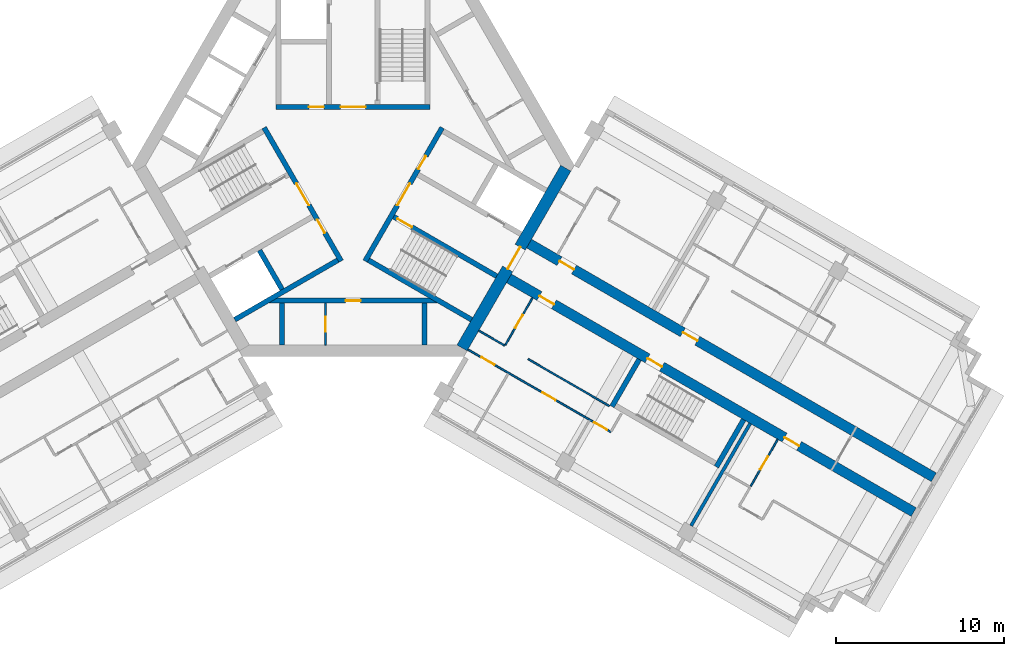
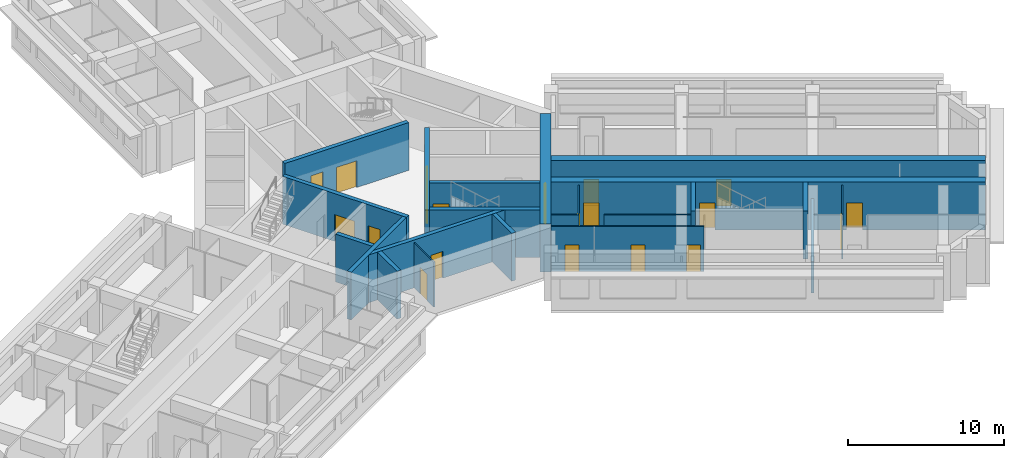
# One storey, part 5 of 10: 22 walls, 20 doors, 20 openings.
"""IFC4 building model written with IfcOpenShell, lengths in metres."""

from ifc_helpers import new_model, si_unit, direction, frame, frame_2d, origin, place, context, subcontext, project, spatial, rectangle, extrude, material, layer, layer_set, type_object, element, fill, save


model = new_model("IFC4")

# Units and contexts
model_context = context("Model", 3, precision=1e-05, world=origin(), true_north=direction((0.0, 1.0)))
body_context = subcontext(model_context, "Body", "Model", "MODEL_VIEW")
ifc_project = project(units=[si_unit("LENGTHUNIT", "METRE"), si_unit("AREAUNIT", "SQUARE_METRE"), si_unit("VOLUMEUNIT", "CUBIC_METRE"), si_unit("PLANEANGLEUNIT", "RADIAN"), si_unit("MASSUNIT", "GRAM", prefix="KILO")], contexts=[model_context])

# Site, building, storey
site_placement = place(None, origin())
site = spatial("IfcSite", under=ifc_project, at=site_placement, CompositionType="ELEMENT")
building_placement = place(site_placement, origin())
building = spatial("IfcBuilding", under=site, at=building_placement, Name="Impinga Residences", CompositionType="ELEMENT")
storey_placement = place(building_placement, frame((0.0, 0.0, 192.25)))
storey = spatial("IfcBuildingStorey", under=building, at=storey_placement, Name="L47", CompositionType="ELEMENT", Elevation=192.25)

# Wall, openings, doors
ifc_material_1 = material(Name="Concrete C60/75", Category="concrete")
ifc_layer_1 = layer(ifc_material_1, 0.60009765625)
ifc_layer_set_1 = layer_set([ifc_layer_1], Name="Concrete C60/75")
wall_type_1 = type_object("IfcWallType", Name="BW3 corridor buttress wall, L46 to L73 600", PredefinedType="SHEAR", material=ifc_layer_set_1)
wall_1_placement = place(storey_placement, frame((10.19677734375, -4.50146484375, 0.0), z_axis=(0.0, 0.0, 1.0), x_axis=(0.866026415941, -0.499998246889, 0.0)))
wall_1 = element("IfcWall", 1, at=wall_1_placement, inside=storey, type_object=wall_type_1, Name="Corridor wall BW3 EC L47", PredefinedType="SHEAR", context=body_context, shape_type="SweptSolid", body=[
    extrude(rectangle(XDim=28.25, YDim=0.60009765625, at=frame_2d((14.125, 0.0))), origin(), (0.0, 0.0, 1.0), 3.75),
])
opening_1_placement = place(wall_1_placement, frame((2.449951171875, 0.0, 0.0)))
opening_1 = element("IfcOpeningElement", 2, at=opening_1_placement, cuts=wall_1, Name="Opening D1", PredefinedType="OPENING", context=body_context, shape_type="SweptSolid", body=[
    extrude(rectangle(XDim=1.0, YDim=2.10009765625, at=frame_2d((0.5, 1.050048828125))), frame((0.0, 0.31005859375, 0.0), z_axis=(0.0, -1.0, 0.0), x_axis=(1.0, 0.0, 0.0)), (0.0, 0.0, 1.0), 0.6201171875),
])
opening_2_placement = place(wall_1_placement, frame((10.949951171875, 0.0, 0.0)))
opening_2 = element("IfcOpeningElement", 3, at=opening_2_placement, cuts=wall_1, Name="Opening D1", PredefinedType="OPENING", context=body_context, shape_type="SweptSolid", body=[
    extrude(rectangle(XDim=1.0, YDim=2.10009765625, at=frame_2d((0.5, 1.050048828125))), frame((0.0, 0.31005859375, 0.0), z_axis=(0.0, -1.0, 0.0), x_axis=(1.0, 0.0, 0.0)), (0.0, 0.0, 1.0), 0.6201171875),
])
ifc_material_2 = material(Name="Timber door set", Category="wood")
door_type_1 = type_object("IfcDoorType", Name="D1 apartment entrance door 1000x2100", OperationType="SINGLE_SWING_LEFT", PredefinedType="DOOR", material=ifc_material_2)
door_1_placement = place(opening_1_placement, origin())
door_1 = element("IfcDoor", 4, at=door_1_placement, inside=storey, type_object=door_type_1, Name="Apartment L47-EA1 entrance", OperationType="SINGLE_SWING_LEFT", OverallHeight=2.10009765625, OverallWidth=1.0, PredefinedType="DOOR", context=body_context, shape_type="SweptSolid", body=[
    extrude(rectangle(XDim=1.0, YDim=2.10009765625, at=frame_2d((0.5, 1.050048828125))), frame((0.0, 0.02490234375, 0.0), z_axis=(0.0, -1.0, 0.0), x_axis=(1.0, 0.0, 0.0)), (0.0, 0.0, 1.0), 0.050048828125),
])
fill(opening_1, door_1)
door_2_placement = place(opening_2_placement, origin())
door_2 = element("IfcDoor", 5, at=door_2_placement, inside=storey, type_object=door_type_1, Name="Apartment L47-EA2 entrance", OperationType="SINGLE_SWING_LEFT", OverallHeight=2.10009765625, OverallWidth=1.0, PredefinedType="DOOR", context=body_context, shape_type="SweptSolid", body=[
    extrude(rectangle(XDim=1.0, YDim=2.10009765625, at=frame_2d((0.5, 1.050048828125))), frame((0.0, 0.02490234375, 0.0), z_axis=(0.0, -1.0, 0.0), x_axis=(1.0, 0.0, 0.0)), (0.0, 0.0, 1.0), 0.050048828125),
])
fill(opening_2, door_2)

wall_2_placement = place(storey_placement, frame((8.996826171875, -6.580078125, 0.0), z_axis=(0.0, 0.0, 1.0), x_axis=(0.866026415941, -0.499998246889, 0.0)))
wall_2 = element("IfcWall", 6, at=wall_2_placement, inside=storey, type_object=wall_type_1, Name="Corridor wall BW3 ED L47", PredefinedType="SHEAR", context=body_context, shape_type="SweptSolid", body=[
    extrude(rectangle(XDim=28.25, YDim=0.60009765625, at=frame_2d((14.125, 0.0))), origin(), (0.0, 0.0, 1.0), 3.75),
])
opening_3_placement = place(wall_2_placement, frame((9.89990234375, 0.0, 0.0)))
opening_3 = element("IfcOpeningElement", 7, at=opening_3_placement, cuts=wall_2, Name="Opening D5", PredefinedType="OPENING", context=body_context, shape_type="SweptSolid", body=[
    extrude(rectangle(XDim=1.0, YDim=2.10009765625, at=frame_2d((0.5, 1.050048828125))), frame((0.0, 0.31005859375, 0.0), z_axis=(0.0, -1.0, 0.0), x_axis=(1.0, 0.0, 0.0)), (0.0, 0.0, 1.0), 0.6201171875),
])
opening_4_placement = place(wall_2_placement, frame((2.449951171875, 0.0, 0.0)))
opening_4 = element("IfcOpeningElement", 8, at=opening_4_placement, cuts=wall_2, Name="Opening D1", PredefinedType="OPENING", context=body_context, shape_type="SweptSolid", body=[
    extrude(rectangle(XDim=1.0, YDim=2.10009765625, at=frame_2d((0.5, 1.050048828125))), frame((0.0, 0.31005859375, 0.0), z_axis=(0.0, -1.0, 0.0), x_axis=(1.0, 0.0, 0.0)), (0.0, 0.0, 1.0), 0.6201171875),
])
opening_5_placement = place(wall_2_placement, frame((19.35009765625, 0.0, 0.0)))
opening_5 = element("IfcOpeningElement", 9, at=opening_5_placement, cuts=wall_2, Name="Opening D1", PredefinedType="OPENING", context=body_context, shape_type="SweptSolid", body=[
    extrude(rectangle(XDim=1.0, YDim=2.10009765625, at=frame_2d((0.5, 1.050048828125))), frame((0.0, 0.31005859375, 0.0), z_axis=(0.0, -1.0, 0.0), x_axis=(1.0, 0.0, 0.0)), (0.0, 0.0, 1.0), 0.6201171875),
])
door_3_placement = place(opening_4_placement, origin())
door_3 = element("IfcDoor", 10, at=door_3_placement, inside=storey, type_object=door_type_1, Name="Apartment L47-EF1 entrance", OperationType="SINGLE_SWING_LEFT", OverallHeight=2.10009765625, OverallWidth=1.0, PredefinedType="DOOR", context=body_context, shape_type="SweptSolid", body=[
    extrude(rectangle(XDim=1.0, YDim=2.10009765625, at=frame_2d((0.5, 1.050048828125))), frame((0.0, 0.02490234375, 0.0), z_axis=(0.0, -1.0, 0.0), x_axis=(1.0, 0.0, 0.0)), (0.0, 0.0, 1.0), 0.050048828125),
])
fill(opening_4, door_3)
door_4_placement = place(opening_5_placement, origin())
door_4 = element("IfcDoor", 11, at=door_4_placement, inside=storey, type_object=door_type_1, Name="Apartment L47-EF2 entrance", OperationType="SINGLE_SWING_RIGHT", OverallHeight=2.10009765625, OverallWidth=1.0, PredefinedType="DOOR", context=body_context, shape_type="SweptSolid", body=[
    extrude(rectangle(XDim=1.0, YDim=2.10009765625, at=frame_2d((0.5, 1.050048828125))), frame((0.0, 0.02490234375, 0.0), z_axis=(0.0, -1.0, 0.0), x_axis=(1.0, 0.0, 0.0)), (0.0, 0.0, 1.0), 0.050048828125),
])
fill(opening_5, door_4)
door_type_2 = type_object("IfcDoorType", Name="D5 stair door 1000x2100", OperationType="SINGLE_SWING_LEFT", PredefinedType="DOOR", material=ifc_material_2)
door_5_placement = place(opening_3_placement, origin())
door_5 = element("IfcDoor", 12, at=door_5_placement, inside=storey, type_object=door_type_2, Name="Wing stair door E", OperationType="SINGLE_SWING_LEFT", OverallHeight=2.10009765625, OverallWidth=1.0, PredefinedType="DOOR", context=body_context, shape_type="SweptSolid", body=[
    extrude(rectangle(XDim=1.0, YDim=2.10009765625, at=frame_2d((0.5, 1.050048828125))), frame((0.0, 0.02490234375, 0.0), z_axis=(0.0, -1.0, 0.0), x_axis=(1.0, 0.0, 0.0)), (0.0, 0.0, 1.0), 0.050048828125),
])
fill(opening_3, door_5)

# Wall, opening, door
ifc_material_3 = material(Name="Concrete blockwork", Category="masonry")
ifc_layer_2 = layer(ifc_material_3, 0.10009765625)
ifc_layer_set_2 = layer_set([ifc_layer_2], Name="CP1 core room partition, blockwork 100")
wall_type_2 = type_object("IfcWallType", Name="CP1 core room partition, blockwork 100", PredefinedType="PARTITIONING", material=ifc_layer_set_2)
wall_3_placement = place(storey_placement, frame((-1.64990234375, -8.2314453125, 0.0), z_axis=(0.0, 0.0, 1.0), x_axis=(0.0, -1.0, 0.0)))
wall_3 = element("IfcWall", 13, at=wall_3_placement, inside=storey, type_object=wall_type_2, Name="Core room partition, blockwork L47:CORE:low:ZP1", PredefinedType="PARTITIONING", context=body_context, shape_type="SweptSolid", body=[
    extrude(rectangle(XDim=2.5, YDim=0.10009765625, at=frame_2d((1.25, 0.0))), origin(), (0.0, 0.0, 1.0), 3.530029296875),
])
opening_6_placement = place(wall_3_placement, frame((0.800048828125, 0.0, 0.0)))
opening_6 = element("IfcOpeningElement", 14, at=opening_6_placement, cuts=wall_3, Name="Opening D6", PredefinedType="OPENING", context=body_context, shape_type="SweptSolid", body=[
    extrude(rectangle(XDim=0.89990234375, YDim=2.10009765625, at=frame_2d((0.449951171875, 1.050048828125))), frame((0.0, 0.06005859375, 0.0), z_axis=(0.0, -1.0, 0.0), x_axis=(1.0, 0.0, 0.0)), (0.0, 0.0, 1.0), 0.1201171875),
])
door_type_3 = type_object("IfcDoorType", Name="D6 riser and store door 900x2100", OperationType="SINGLE_SWING_LEFT", PredefinedType="DOOR", material=ifc_material_2)
door_6_placement = place(opening_6_placement, origin())
door_6 = element("IfcDoor", 15, at=door_6_placement, inside=storey, type_object=door_type_3, Name="Linen store door", OperationType="SINGLE_SWING_LEFT", OverallHeight=2.10009765625, OverallWidth=0.89990234375, PredefinedType="DOOR", context=body_context, shape_type="SweptSolid", body=[
    extrude(rectangle(XDim=0.89990234375, YDim=2.10009765625, at=frame_2d((0.449951171875, 1.050048828125))), frame((0.0, 0.02490234375, 0.0), z_axis=(0.0, -1.0, 0.0), x_axis=(1.0, 0.0, 0.0)), (0.0, 0.0, 1.0), 0.050048828125),
])
fill(opening_6, door_6)

# Walls
ifc_material_4 = material(Name="Gypsum board on steel studs", Category="steel")
ifc_layer_3 = layer(ifc_material_4, 0.10009765625)
ifc_layer_set_3 = layer_set([ifc_layer_3], Name="Gypsum board on steel studs")
wall_type_3 = type_object("IfcWallType", Name="IP1 partition 100", PredefinedType="PARTITIONING", material=ifc_layer_set_3)
wall_4_placement = place(storey_placement, frame((7.5, -9.872802734375, 0.0), z_axis=(0.0, 0.0, 1.0), x_axis=(0.866047807691, -0.499961193289, 0.0)))
element("IfcWall", 16, at=wall_4_placement, inside=storey, type_object=wall_type_3, Name="Partition L47-EF1:DIV0", PredefinedType="PARTITIONING", context=body_context, shape_type="SweptSolid", body=[
    extrude(rectangle(XDim=1.800048828125, YDim=0.10009765625, at=frame_2d((0.89990234375, 0.0))), origin(), (0.0, 0.0, 1.0), 3.530029296875),
])
wall_5_placement = place(storey_placement, frame((10.444580078125, -11.57275390625, 0.0), z_axis=(0.0, 0.0, 1.0), x_axis=(0.866015695474, -0.500016814911, 0.0)))
element("IfcWall", 17, at=wall_5_placement, inside=storey, type_object=wall_type_3, Name="Partition L47-EF1:DIV1", PredefinedType="PARTITIONING", context=body_context, shape_type="SweptSolid", body=[
    extrude(rectangle(XDim=5.599853515625, YDim=0.10009765625, at=frame_2d((2.7998046875, 0.0))), origin(), (0.0, 0.0, 1.0), 3.530029296875),
])

# Wall, openings, doors
wall_6_placement = place(storey_placement, frame((6.85009765625, -10.99853515625, 0.0), z_axis=(0.0, 0.0, 1.0), x_axis=(0.866021308241, -0.500007093622, 0.0)))
wall_6 = element("IfcWall", 18, at=wall_6_placement, inside=storey, type_object=wall_type_3, Name="Partition L47-EF1:STRIP", PredefinedType="PARTITIONING", context=body_context, shape_type="SweptSolid", body=[
    extrude(rectangle(XDim=9.849853515625, YDim=0.10009765625, at=frame_2d((4.9248046875, 0.0))), origin(), (0.0, 0.0, 1.0), 3.530029296875),
])
opening_7_placement = place(wall_6_placement, frame((0.925048828125, 0.0, 0.0)))
opening_7 = element("IfcOpeningElement", 19, at=opening_7_placement, cuts=wall_6, Name="Opening D2", PredefinedType="OPENING", context=body_context, shape_type="SweptSolid", body=[
    extrude(rectangle(XDim=0.89990234375, YDim=2.10009765625, at=frame_2d((0.449951171875, 1.050048828125))), frame((0.0, 0.06005859375, 0.0), z_axis=(0.0, -1.0, 0.0), x_axis=(1.0, 0.0, 0.0)), (0.0, 0.0, 1.0), 0.1201171875),
])
opening_8_placement = place(wall_6_placement, frame((5.14990234375, 0.0, 0.0)))
opening_8 = element("IfcOpeningElement", 20, at=opening_8_placement, cuts=wall_6, Name="Opening D2", PredefinedType="OPENING", context=body_context, shape_type="SweptSolid", body=[
    extrude(rectangle(XDim=0.89990234375, YDim=2.10009765625, at=frame_2d((0.449951171875, 1.050048828125))), frame((0.0, 0.06005859375, 0.0), z_axis=(0.0, -1.0, 0.0), x_axis=(1.0, 0.0, 0.0)), (0.0, 0.0, 1.0), 0.1201171875),
])
opening_9_placement = place(wall_6_placement, frame((8.699951171875, 0.0, 0.0)))
opening_9 = element("IfcOpeningElement", 21, at=opening_9_placement, cuts=wall_6, Name="Opening D2", PredefinedType="OPENING", context=body_context, shape_type="SweptSolid", body=[
    extrude(rectangle(XDim=0.89990234375, YDim=2.10009765625, at=frame_2d((0.449951171875, 1.050048828125))), frame((0.0, 0.06005859375, 0.0), z_axis=(0.0, -1.0, 0.0), x_axis=(1.0, 0.0, 0.0)), (0.0, 0.0, 1.0), 0.1201171875),
])
door_type_4 = type_object("IfcDoorType", Name="D2 internal door 900x2100", OperationType="SINGLE_SWING_LEFT", PredefinedType="DOOR", material=ifc_material_2)
door_7_placement = place(opening_7_placement, origin())
door_7 = element("IfcDoor", 22, at=door_7_placement, inside=storey, type_object=door_type_4, Name="Apartment L47-EF1 room door", OperationType="SINGLE_SWING_LEFT", OverallHeight=2.10009765625, OverallWidth=0.89990234375, PredefinedType="DOOR", context=body_context, shape_type="SweptSolid", body=[
    extrude(rectangle(XDim=0.89990234375, YDim=2.10009765625, at=frame_2d((0.449951171875, 1.050048828125))), frame((0.0, 0.02490234375, 0.0), z_axis=(0.0, -1.0, 0.0), x_axis=(1.0, 0.0, 0.0)), (0.0, 0.0, 1.0), 0.050048828125),
])
fill(opening_7, door_7)
door_8_placement = place(opening_8_placement, origin())
door_8 = element("IfcDoor", 23, at=door_8_placement, inside=storey, type_object=door_type_4, Name="Apartment L47-EF1 room door", OperationType="SINGLE_SWING_RIGHT", OverallHeight=2.10009765625, OverallWidth=0.89990234375, PredefinedType="DOOR", context=body_context, shape_type="SweptSolid", body=[
    extrude(rectangle(XDim=0.89990234375, YDim=2.10009765625, at=frame_2d((0.449951171875, 1.050048828125))), frame((0.0, 0.02490234375, 0.0), z_axis=(0.0, -1.0, 0.0), x_axis=(1.0, 0.0, 0.0)), (0.0, 0.0, 1.0), 0.050048828125),
])
fill(opening_8, door_8)
door_9_placement = place(opening_9_placement, origin())
door_9 = element("IfcDoor", 24, at=door_9_placement, inside=storey, type_object=door_type_4, Name="Apartment L47-EF1 room door", OperationType="SINGLE_SWING_RIGHT", OverallHeight=2.10009765625, OverallWidth=0.89990234375, PredefinedType="DOOR", context=body_context, shape_type="SweptSolid", body=[
    extrude(rectangle(XDim=0.89990234375, YDim=2.10009765625, at=frame_2d((0.449951171875, 1.050048828125))), frame((0.0, 0.02490234375, 0.0), z_axis=(0.0, -1.0, 0.0), x_axis=(1.0, 0.0, 0.0)), (0.0, 0.0, 1.0), 0.050048828125),
])
fill(opening_9, door_9)

# Wall, opening, door
wall_7_placement = place(storey_placement, frame((10.708740234375, -7.914794921875, 0.0), z_axis=(0.0, 0.0, 1.0), x_axis=(-0.499984717929, -0.866034226713, 0.0)))
wall_7 = element("IfcWall", 25, at=wall_7_placement, inside=storey, type_object=wall_type_3, Name="Partition L47-EF1:IB1", PredefinedType="PARTITIONING", context=body_context, shape_type="SweptSolid", body=[
    extrude(rectangle(XDim=3.25, YDim=0.10009765625, at=frame_2d((1.625, 0.0))), origin(), (0.0, 0.0, 1.0), 3.530029296875),
])
opening_10_placement = place(wall_7_placement, frame((1.175048828125, 0.0, 0.0)))
opening_10 = element("IfcOpeningElement", 26, at=opening_10_placement, cuts=wall_7, Name="Opening D2", PredefinedType="OPENING", context=body_context, shape_type="SweptSolid", body=[
    extrude(rectangle(XDim=0.89990234375, YDim=2.10009765625, at=frame_2d((0.449951171875, 1.050048828125))), frame((0.0, 0.06005859375, 0.0), z_axis=(0.0, -1.0, 0.0), x_axis=(1.0, 0.0, 0.0)), (0.0, 0.0, 1.0), 0.1201171875),
])
door_10_placement = place(opening_10_placement, origin())
door_10 = element("IfcDoor", 27, at=door_10_placement, inside=storey, type_object=door_type_4, Name="Apartment L47-EF1 bathroom door", OperationType="SINGLE_SWING_LEFT", OverallHeight=2.10009765625, OverallWidth=0.89990234375, PredefinedType="DOOR", context=body_context, shape_type="SweptSolid", body=[
    extrude(rectangle(XDim=0.89990234375, YDim=2.10009765625, at=frame_2d((0.449951171875, 1.050048828125))), frame((0.0, 0.02490234375, 0.0), z_axis=(0.0, -1.0, 0.0), x_axis=(1.0, 0.0, 0.0)), (0.0, 0.0, 1.0), 0.050048828125),
])
fill(opening_10, door_10)

wall_8_placement = place(storey_placement, frame((25.3447265625, -16.36474609375, 0.0), z_axis=(0.0, 0.0, 1.0), x_axis=(-0.499984717929, -0.866034226713, 0.0)))
wall_8 = element("IfcWall", 28, at=wall_8_placement, inside=storey, type_object=wall_type_3, Name="Partition L47-EF2:IB1", PredefinedType="PARTITIONING", context=body_context, shape_type="SweptSolid", body=[
    extrude(rectangle(XDim=3.25, YDim=0.10009765625, at=frame_2d((1.625, 0.0))), origin(), (0.0, 0.0, 1.0), 3.530029296875),
])
opening_11_placement = place(wall_8_placement, frame((1.175048828125, 0.0, 0.0)))
opening_11 = element("IfcOpeningElement", 29, at=opening_11_placement, cuts=wall_8, Name="Opening D2", PredefinedType="OPENING", context=body_context, shape_type="SweptSolid", body=[
    extrude(rectangle(XDim=0.89990234375, YDim=2.10009765625, at=frame_2d((0.449951171875, 1.050048828125))), frame((0.0, 0.06005859375, 0.0), z_axis=(0.0, -1.0, 0.0), x_axis=(1.0, 0.0, 0.0)), (0.0, 0.0, 1.0), 0.1201171875),
])
door_11_placement = place(opening_11_placement, origin())
door_11 = element("IfcDoor", 30, at=door_11_placement, inside=storey, type_object=door_type_4, Name="Apartment L47-EF2 bathroom door", OperationType="SINGLE_SWING_LEFT", OverallHeight=2.10009765625, OverallWidth=0.89990234375, PredefinedType="DOOR", context=body_context, shape_type="SweptSolid", body=[
    extrude(rectangle(XDim=0.89990234375, YDim=2.10009765625, at=frame_2d((0.449951171875, 1.050048828125))), frame((0.0, 0.02490234375, 0.0), z_axis=(0.0, -1.0, 0.0), x_axis=(1.0, 0.0, 0.0)), (0.0, 0.0, 1.0), 0.050048828125),
])
fill(opening_11, door_11)

# Walls
ifc_layer_4 = layer(ifc_material_3, 0.199951171875)
ifc_layer_set_4 = layer_set([ifc_layer_4], Name="PW1 party wall between apartments 200")
wall_type_4 = type_object("IfcWallType", Name="PW1 party wall between apartments 200", PredefinedType="SOLIDWALL", material=ifc_layer_set_4)
wall_9_placement = place(storey_placement, frame((23.69921875, -15.414794921875, 0.0), z_axis=(0.0, 0.0, 1.0), x_axis=(-0.499990246421, -0.866031034943, 0.0)))
element("IfcWall", 31, at=wall_9_placement, inside=storey, type_object=wall_type_4, Name="Party wall between apartments L47-EF1:PARTY", PredefinedType="SOLIDWALL", context=body_context, shape_type="SweptSolid", body=[
    extrude(rectangle(XDim=7.050048828125, YDim=0.199951171875, at=frame_2d((3.52490234375, 0.0))), origin(), (0.0, 0.0, 1.0), 2.47998046875),
])
ifc_layer_5 = layer(ifc_material_1, 0.300048828125)
ifc_layer_set_5 = layer_set([ifc_layer_5], Name="Concrete C60/75")
wall_type_5 = type_object("IfcWallType", Name="SE1 wing stair enclosure wall 300", PredefinedType="SOLIDWALL", material=ifc_layer_set_5)
for number, where, z_axis, x_axis, name in (
    (32, (17.07421875, -11.58984375, 0.0), (0.0, 0.0, 1.0), (-0.500017246033, -0.866015446554, 0.0), "Stair enclosure wall SE1 E END0 L47"),
    (33, (23.3095703125, -15.189697265625, 0.0), (0.0, 0.0, 1.0), (-0.499984717929, -0.866034226713, 0.0), "Stair enclosure wall SE1 E END1 L47"),
):
    element("IfcWall", number, at=place(storey_placement, frame(where, z_axis=z_axis, x_axis=x_axis)), inside=storey, type_object=wall_type_5, Name=name, PredefinedType="SOLIDWALL", context=body_context, shape_type="SweptSolid", body=[
        extrude(rectangle(XDim=3.25, YDim=0.300048828125, at=frame_2d((1.625, 0.0))), origin(), (0.0, 0.0, 1.0), 3.75),
    ])

# Wall, opening, door
ifc_layer_6 = layer(ifc_material_1, 0.699951171875)
ifc_layer_set_6 = layer_set([ifc_layer_6], Name="Concrete C60/75")
wall_type_6 = type_object("IfcWallType", Name="SW3 core wall 700", PredefinedType="SHEAR", material=ifc_layer_set_6)
wall_10_placement = place(storey_placement, frame((12.69482421875, -0.175048828125, 0.0), z_axis=(0.0, 0.0, 1.0), x_axis=(-0.499999875397, -0.866025475724, 0.0)))
wall_10 = element("IfcWall", 34, at=wall_10_placement, inside=storey, type_object=wall_type_6, Name="Core wall SW3 E:FACE L47", PredefinedType="SHEAR", context=body_context, shape_type="SweptSolid", body=[
    extrude(rectangle(XDim=12.3916015625, YDim=0.699951171875, at=frame_2d((6.19580078125, 0.0))), origin(), (0.0, 0.0, 1.0), 3.75),
])
opening_12_placement = place(wall_10_placement, frame((5.44580078125, 0.0, 0.0)))
opening_12 = element("IfcOpeningElement", 35, at=opening_12_placement, cuts=wall_10, Name="Opening D4", PredefinedType="OPENING", context=body_context, shape_type="SweptSolid", body=[
    extrude(rectangle(XDim=1.5, YDim=2.10009765625, at=frame_2d((0.75, 1.050048828125))), frame((0.0, 0.35986328125, 0.0), z_axis=(0.0, -1.0, 0.0), x_axis=(1.0, 0.0, 0.0)), (0.0, 0.0, 1.0), 0.719970703125),
])
door_type_5 = type_object("IfcDoorType", Name="D4 lobby door pair 1500x2100", OperationType="DOUBLE_DOOR_DOUBLE_SWING", PredefinedType="DOOR", material=ifc_material_2)
door_12_placement = place(opening_12_placement, origin())
door_12 = element("IfcDoor", 36, at=door_12_placement, inside=storey, type_object=door_type_5, Name="Lobby door E", OperationType="DOUBLE_DOOR_DOUBLE_SWING", OverallHeight=2.10009765625, OverallWidth=1.5, PredefinedType="DOOR", context=body_context, shape_type="SweptSolid", body=[
    extrude(rectangle(XDim=1.5, YDim=2.10009765625, at=frame_2d((0.75, 1.050048828125))), frame((0.0, 0.02490234375, 0.0), z_axis=(0.0, -1.0, 0.0), x_axis=(1.0, 0.0, 0.0)), (0.0, 0.0, 1.0), 0.050048828125),
])
fill(opening_12, door_12)

# Wall, openings, doors
ifc_material_5 = material(Name="Concrete C70/85", Category="concrete")
ifc_layer_7 = layer(ifc_material_5, 0.300048828125)
ifc_layer_set_7 = layer_set([ifc_layer_7], Name="Concrete C70/85")
wall_type_7 = type_object("IfcWallType", Name="SW5 core inner wall, stairs, shafts and lobbies 300", PredefinedType="SHEAR", material=ifc_layer_set_7)
wall_11_placement = place(storey_placement, frame((-4.60009765625, 3.47998046875, 0.0), z_axis=(0.0, 0.0, 1.0), x_axis=(1.0, 0.0, 0.0)))
wall_11 = element("IfcWall", 37, at=wall_11_placement, inside=storey, type_object=wall_type_7, Name="Core wall SW5 N:ZONE L47", PredefinedType="SHEAR", context=body_context, shape_type="SweptSolid", body=[
    extrude(rectangle(XDim=9.2001953125, YDim=0.300048828125, at=frame_2d((4.60009765625, 0.0))), origin(), (0.0, 0.0, 1.0), 3.75),
])
opening_13_placement = place(wall_11_placement, frame((3.85009765625, 0.0, 0.0)))
opening_13 = element("IfcOpeningElement", 38, at=opening_13_placement, cuts=wall_11, Name="Opening D4", PredefinedType="OPENING", context=body_context, shape_type="SweptSolid", body=[
    extrude(rectangle(XDim=1.5, YDim=2.10009765625, at=frame_2d((0.75, 1.050048828125))), frame((0.0, 0.159912109375, 0.0), z_axis=(0.0, -1.0, 0.0), x_axis=(1.0, 0.0, 0.0)), (0.0, 0.0, 1.0), 0.320068359375),
])
opening_14_placement = place(wall_11_placement, frame((1.949951171875, 0.0, 0.0)))
opening_14 = element("IfcOpeningElement", 39, at=opening_14_placement, cuts=wall_11, Name="Opening D6", PredefinedType="OPENING", context=body_context, shape_type="SweptSolid", body=[
    extrude(rectangle(XDim=0.89990234375, YDim=2.10009765625, at=frame_2d((0.449951171875, 1.050048828125))), frame((0.0, 0.159912109375, 0.0), z_axis=(0.0, -1.0, 0.0), x_axis=(1.0, 0.0, 0.0)), (0.0, 0.0, 1.0), 0.320068359375),
])
door_13_placement = place(opening_13_placement, origin())
door_13 = element("IfcDoor", 40, at=door_13_placement, inside=storey, type_object=door_type_5, Name="Firefighting lobby door N", OperationType="DOUBLE_DOOR_DOUBLE_SWING", OverallHeight=2.10009765625, OverallWidth=1.5, PredefinedType="DOOR", context=body_context, shape_type="SweptSolid", body=[
    extrude(rectangle(XDim=1.5, YDim=2.10009765625, at=frame_2d((0.75, 1.050048828125))), frame((0.0, 0.02490234375, 0.0), z_axis=(0.0, -1.0, 0.0), x_axis=(1.0, 0.0, 0.0)), (0.0, 0.0, 1.0), 0.050048828125),
])
fill(opening_13, door_13)
door_14_placement = place(opening_14_placement, origin())
door_14 = element("IfcDoor", 41, at=door_14_placement, inside=storey, type_object=door_type_3, Name="Riser door N", OperationType="SINGLE_SWING_LEFT", OverallHeight=2.10009765625, OverallWidth=0.89990234375, PredefinedType="DOOR", context=body_context, shape_type="SweptSolid", body=[
    extrude(rectangle(XDim=0.89990234375, YDim=2.10009765625, at=frame_2d((0.449951171875, 1.050048828125))), frame((0.0, 0.02490234375, 0.0), z_axis=(0.0, -1.0, 0.0), x_axis=(1.0, 0.0, 0.0)), (0.0, 0.0, 1.0), 0.050048828125),
])
fill(opening_14, door_14)

wall_12_placement = place(storey_placement, frame((-0.7138671875, -5.7236328125, 0.0), z_axis=(0.0, 0.0, 1.0), x_axis=(-0.499995050369, 0.866028261437, 0.0)))
wall_12 = element("IfcWall", 42, at=wall_12_placement, inside=storey, type_object=wall_type_7, Name="Core wall SW5 W:ZONE L47", PredefinedType="SHEAR", context=body_context, shape_type="SweptSolid", body=[
    extrude(rectangle(XDim=9.19970703125, YDim=0.300048828125, at=frame_2d((4.599853515625, 0.0))), origin(), (0.0, 0.0, 1.0), 3.75),
])
opening_15_placement = place(wall_12_placement, frame((3.85009765625, 0.0, 0.0)))
opening_15 = element("IfcOpeningElement", 43, at=opening_15_placement, cuts=wall_12, Name="Opening D4", PredefinedType="OPENING", context=body_context, shape_type="SweptSolid", body=[
    extrude(rectangle(XDim=1.5, YDim=2.10009765625, at=frame_2d((0.75, 1.050048828125))), frame((0.0, 0.159912109375, 0.0), z_axis=(0.0, -1.0, 0.0), x_axis=(1.0, 0.0, 0.0)), (0.0, 0.0, 1.0), 0.320068359375),
])
opening_16_placement = place(wall_12_placement, frame((1.949951171875, 0.0, 0.0)))
opening_16 = element("IfcOpeningElement", 44, at=opening_16_placement, cuts=wall_12, Name="Opening D6", PredefinedType="OPENING", context=body_context, shape_type="SweptSolid", body=[
    extrude(rectangle(XDim=0.89990234375, YDim=2.10009765625, at=frame_2d((0.449951171875, 1.050048828125))), frame((0.0, 0.159912109375, 0.0), z_axis=(0.0, -1.0, 0.0), x_axis=(1.0, 0.0, 0.0)), (0.0, 0.0, 1.0), 0.320068359375),
])
door_15_placement = place(opening_15_placement, origin())
door_15 = element("IfcDoor", 45, at=door_15_placement, inside=storey, type_object=door_type_5, Name="Firefighting lobby door W", OperationType="DOUBLE_DOOR_DOUBLE_SWING", OverallHeight=2.10009765625, OverallWidth=1.5, PredefinedType="DOOR", context=body_context, shape_type="SweptSolid", body=[
    extrude(rectangle(XDim=1.5, YDim=2.10009765625, at=frame_2d((0.75, 1.050048828125))), frame((0.0, 0.02490234375, 0.0), z_axis=(0.0, -1.0, 0.0), x_axis=(1.0, 0.0, 0.0)), (0.0, 0.0, 1.0), 0.050048828125),
])
fill(opening_15, door_15)
door_16_placement = place(opening_16_placement, origin())
door_16 = element("IfcDoor", 46, at=door_16_placement, inside=storey, type_object=door_type_3, Name="Riser door W", OperationType="SINGLE_SWING_LEFT", OverallHeight=2.10009765625, OverallWidth=0.89990234375, PredefinedType="DOOR", context=body_context, shape_type="SweptSolid", body=[
    extrude(rectangle(XDim=0.89990234375, YDim=2.10009765625, at=frame_2d((0.449951171875, 1.050048828125))), frame((0.0, 0.02490234375, 0.0), z_axis=(0.0, -1.0, 0.0), x_axis=(1.0, 0.0, 0.0)), (0.0, 0.0, 1.0), 0.050048828125),
])
fill(opening_16, door_16)

# Walls
wall_13_placement = place(storey_placement, frame((-0.918701171875, -5.668701171875, 0.0), z_axis=(0.0, 0.0, 1.0), x_axis=(-0.866025859768, -0.499999210213, 0.0)))
element("IfcWall", 47, at=wall_13_placement, inside=storey, type_object=wall_type_7, Name="Core wall SW5 W:FF-OUT L47", PredefinedType="SHEAR", context=body_context, shape_type="SweptSolid", body=[
    extrude(rectangle(XDim=7.1015625, YDim=0.300048828125, at=frame_2d((3.55078125, 0.0))), origin(), (0.0, 0.0, 1.0), 3.75),
])
wall_14_placement = place(storey_placement, frame((-4.2412109375, -7.413818359375, 0.0), z_axis=(0.0, 0.0, 1.0), x_axis=(-0.500048589285, 0.86599734893, 0.0)))
element("IfcWall", 48, at=wall_14_placement, inside=storey, type_object=wall_type_7, Name="Core wall SW5 W:FF-RS L47", PredefinedType="SHEAR", context=body_context, shape_type="SweptSolid", body=[
    extrude(rectangle(XDim=2.699951171875, YDim=0.300048828125, at=frame_2d((1.35009765625, 0.0))), origin(), (0.0, 0.0, 1.0), 3.75),
])

# Wall, openings, doors
wall_15_placement = place(storey_placement, frame((5.313720703125, 2.24365234375, 0.0), z_axis=(0.0, 0.0, 1.0), x_axis=(-0.499995050369, -0.866028261437, 0.0)))
wall_15 = element("IfcWall", 49, at=wall_15_placement, inside=storey, type_object=wall_type_7, Name="Core wall SW5 E:ZONE L47", PredefinedType="SHEAR", context=body_context, shape_type="SweptSolid", body=[
    extrude(rectangle(XDim=9.19970703125, YDim=0.300048828125, at=frame_2d((4.599853515625, 0.0))), origin(), (0.0, 0.0, 1.0), 3.75),
])
opening_17_placement = place(wall_15_placement, frame((3.85009765625, 0.0, 0.0)))
opening_17 = element("IfcOpeningElement", 50, at=opening_17_placement, cuts=wall_15, Name="Opening D4", PredefinedType="OPENING", context=body_context, shape_type="SweptSolid", body=[
    extrude(rectangle(XDim=1.5, YDim=2.10009765625, at=frame_2d((0.75, 1.050048828125))), frame((0.0, 0.159912109375, 0.0), z_axis=(0.0, -1.0, 0.0), x_axis=(1.0, 0.0, 0.0)), (0.0, 0.0, 1.0), 0.320068359375),
])
opening_18_placement = place(wall_15_placement, frame((1.949951171875, 0.0, 0.0)))
opening_18 = element("IfcOpeningElement", 51, at=opening_18_placement, cuts=wall_15, Name="Opening D6", PredefinedType="OPENING", context=body_context, shape_type="SweptSolid", body=[
    extrude(rectangle(XDim=0.89990234375, YDim=2.10009765625, at=frame_2d((0.449951171875, 1.050048828125))), frame((0.0, 0.159912109375, 0.0), z_axis=(0.0, -1.0, 0.0), x_axis=(1.0, 0.0, 0.0)), (0.0, 0.0, 1.0), 0.320068359375),
])
door_17_placement = place(opening_17_placement, origin())
door_17 = element("IfcDoor", 52, at=door_17_placement, inside=storey, type_object=door_type_5, Name="Firefighting lobby door E", OperationType="DOUBLE_DOOR_DOUBLE_SWING", OverallHeight=2.10009765625, OverallWidth=1.5, PredefinedType="DOOR", context=body_context, shape_type="SweptSolid", body=[
    extrude(rectangle(XDim=1.5, YDim=2.10009765625, at=frame_2d((0.75, 1.050048828125))), frame((0.0, 0.02490234375, 0.0), z_axis=(0.0, -1.0, 0.0), x_axis=(1.0, 0.0, 0.0)), (0.0, 0.0, 1.0), 0.050048828125),
])
fill(opening_17, door_17)
door_18_placement = place(opening_18_placement, origin())
door_18 = element("IfcDoor", 53, at=door_18_placement, inside=storey, type_object=door_type_3, Name="Riser door E", OperationType="SINGLE_SWING_LEFT", OverallHeight=2.10009765625, OverallWidth=0.89990234375, PredefinedType="DOOR", context=body_context, shape_type="SweptSolid", body=[
    extrude(rectangle(XDim=0.89990234375, YDim=2.10009765625, at=frame_2d((0.449951171875, 1.050048828125))), frame((0.0, 0.02490234375, 0.0), z_axis=(0.0, -1.0, 0.0), x_axis=(1.0, 0.0, 0.0)), (0.0, 0.0, 1.0), 0.050048828125),
])
fill(opening_18, door_18)

# Wall, opening, door
wall_16_placement = place(storey_placement, frame((2.418701171875, -3.07080078125, 0.0), z_axis=(0.0, 0.0, 1.0), x_axis=(0.866025859768, -0.499999210213, 0.0)))
wall_16 = element("IfcWall", 54, at=wall_16_placement, inside=storey, type_object=wall_type_7, Name="Core wall SW5 E:ST-IN L47", PredefinedType="SHEAR", context=body_context, shape_type="SweptSolid", body=[
    extrude(rectangle(XDim=7.1015625, YDim=0.300048828125, at=frame_2d((3.55078125, 0.0))), origin(), (0.0, 0.0, 1.0), 3.75),
])
opening_19_placement = place(wall_16_placement, frame((0.25, 0.0, 0.0)))
opening_19 = element("IfcOpeningElement", 55, at=opening_19_placement, cuts=wall_16, Name="Opening D5", PredefinedType="OPENING", context=body_context, shape_type="SweptSolid", body=[
    extrude(rectangle(XDim=1.0, YDim=2.10009765625, at=frame_2d((0.5, 1.050048828125))), frame((0.0, 0.159912109375, 0.0), z_axis=(0.0, -1.0, 0.0), x_axis=(1.0, 0.0, 0.0)), (0.0, 0.0, 1.0), 0.320068359375),
])
door_19_placement = place(opening_19_placement, origin())
door_19 = element("IfcDoor", 56, at=door_19_placement, inside=storey, type_object=door_type_2, Name="Stair door E", OperationType="SINGLE_SWING_LEFT", OverallHeight=2.10009765625, OverallWidth=1.0, PredefinedType="DOOR", context=body_context, shape_type="SweptSolid", body=[
    extrude(rectangle(XDim=1.0, YDim=2.10009765625, at=frame_2d((0.5, 1.050048828125))), frame((0.0, 0.02490234375, 0.0), z_axis=(0.0, -1.0, 0.0), x_axis=(1.0, 0.0, 0.0)), (0.0, 0.0, 1.0), 0.050048828125),
])
fill(opening_19, door_19)

# Wall
wall_17_placement = place(storey_placement, frame((0.918701171875, -5.668701171875, 0.0), z_axis=(0.0, 0.0, 1.0), x_axis=(0.866025859768, -0.499999210213, 0.0)))
element("IfcWall", 57, at=wall_17_placement, inside=storey, type_object=wall_type_7, Name="Core wall SW5 E:ST-OUT L47", PredefinedType="SHEAR", context=body_context, shape_type="SweptSolid", body=[
    extrude(rectangle(XDim=7.1015625, YDim=0.300048828125, at=frame_2d((3.55078125, 0.0))), origin(), (0.0, 0.0, 1.0), 3.75),
])

# Wall, opening, door
wall_18_placement = place(storey_placement, frame((5.09765625, -8.08154296875, 0.0), z_axis=(0.0, 0.0, 1.0), x_axis=(-1.0, 0.0, 0.0)))
wall_18 = element("IfcWall", 58, at=wall_18_placement, inside=storey, type_object=wall_type_7, Name="Core wall SW5 N:BANK-FRONT L47", PredefinedType="SHEAR", context=body_context, shape_type="SweptSolid", body=[
    extrude(rectangle(XDim=10.1953125, YDim=0.300048828125, at=frame_2d((5.09765625, 0.0))), origin(), (0.0, 0.0, 1.0), 3.75),
])
opening_20_placement = place(wall_18_placement, frame((4.647705078125, 0.0, 0.0)))
opening_20 = element("IfcOpeningElement", 59, at=opening_20_placement, cuts=wall_18, Name="Opening D6", PredefinedType="OPENING", context=body_context, shape_type="SweptSolid", body=[
    extrude(rectangle(XDim=0.89990234375, YDim=2.10009765625, at=frame_2d((0.449951171875, 1.050048828125))), frame((0.0, 0.159912109375, 0.0), z_axis=(0.0, -1.0, 0.0), x_axis=(1.0, 0.0, 0.0)), (0.0, 0.0, 1.0), 0.320068359375),
])
door_20_placement = place(opening_20_placement, origin())
door_20 = element("IfcDoor", 60, at=door_20_placement, inside=storey, type_object=door_type_3, Name="Housekeeping store door", OperationType="SINGLE_SWING_LEFT", OverallHeight=2.10009765625, OverallWidth=0.89990234375, PredefinedType="DOOR", context=body_context, shape_type="SweptSolid", body=[
    extrude(rectangle(XDim=0.89990234375, YDim=2.10009765625, at=frame_2d((0.449951171875, 1.050048828125))), frame((0.0, 0.02490234375, 0.0), z_axis=(0.0, -1.0, 0.0), x_axis=(1.0, 0.0, 0.0)), (0.0, 0.0, 1.0), 0.050048828125),
])
fill(opening_20, door_20)

# Walls
for number, where, z_axis, x_axis, name in (
    (61, (4.25, -8.2314453125, 0.0), (0.0, 0.0, 1.0), (0.0, -1.0, 0.0), "Core wall SW5 N:BANK-L L47"),
    (62, (-4.25, -8.2314453125, 0.0), (0.0, 0.0, 1.0), (0.0, -1.0, 0.0), "Core wall SW5 N:BANK-R L47"),
):
    element("IfcWall", number, at=place(storey_placement, frame(where, z_axis=z_axis, x_axis=x_axis)), inside=storey, type_object=wall_type_7, Name=name, PredefinedType="SHEAR", context=body_context, shape_type="SweptSolid", body=[
        extrude(rectangle(XDim=2.5, YDim=0.300048828125, at=frame_2d((1.25, 0.0))), origin(), (0.0, 0.0, 1.0), 3.75),
    ])

save(model, "model.ifc")
